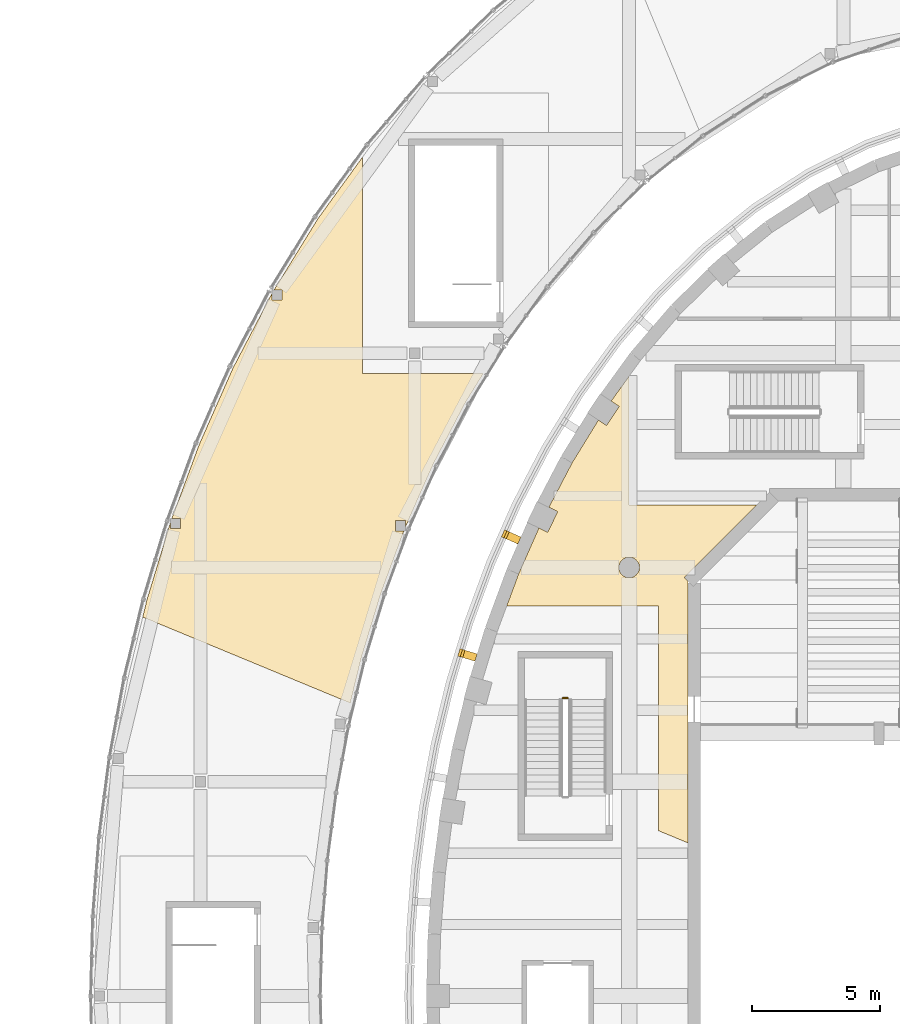
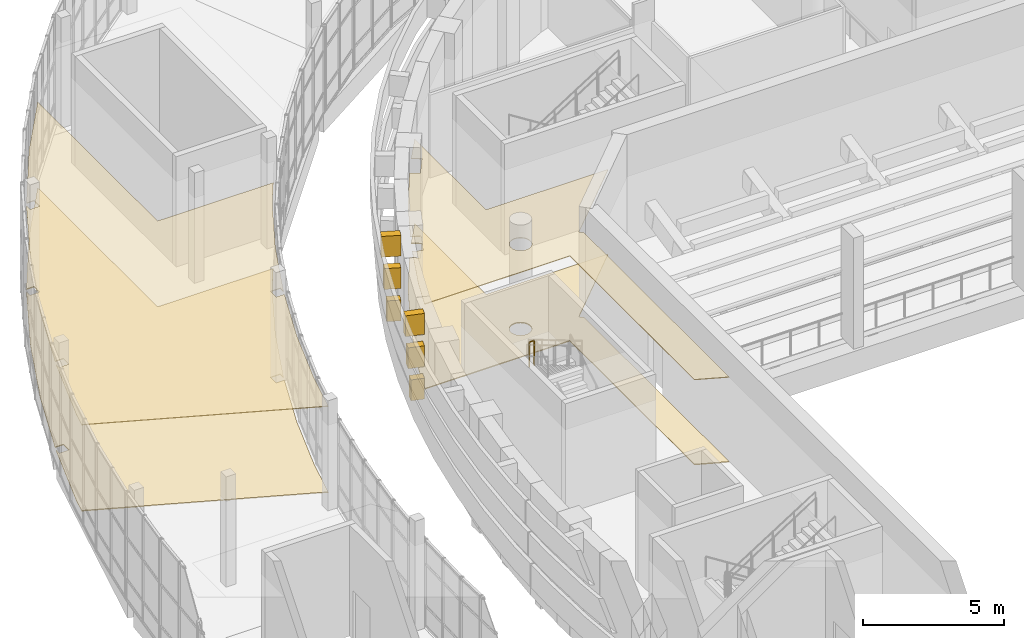
# One storey, part 93 of 103: 10 coverings, 1 railing.
"""IFC4 building model written with IfcOpenShell, lengths in metres."""

from ifc_helpers import new_model, si_unit, direction, frame, origin, origin_2d, place, context, subcontext, project, spatial, polyline, rectangle, circle, outline, extrude, material, layer, layer_set, type_object, element, save


model = new_model("IFC4")

# Units and contexts
model_context = context("Model", 3, precision=1e-05, world=origin(), true_north=direction((0.0, 1.0)))
body_context = subcontext(model_context, "Body", "Model", "MODEL_VIEW")
ifc_project = project(units=[si_unit("LENGTHUNIT", "METRE"), si_unit("AREAUNIT", "SQUARE_METRE"), si_unit("VOLUMEUNIT", "CUBIC_METRE"), si_unit("PLANEANGLEUNIT", "RADIAN"), si_unit("MASSUNIT", "GRAM", prefix="KILO")], contexts=[model_context])

# Site, building, storey
site_placement = place(None, origin())
site = spatial("IfcSite", under=ifc_project, at=site_placement, CompositionType="ELEMENT")
building_placement = place(site_placement, origin())
building = spatial("IfcBuilding", under=site, at=building_placement, Name="Larchfold Concert Hall", CompositionType="ELEMENT")
storey_placement = place(building_placement, frame((0.0, 0.0, 9.60009765625)))
storey = spatial("IfcBuildingStorey", under=building, at=storey_placement, Name="L02", CompositionType="ELEMENT", Elevation=9.60009765625)

# Coverings
ifc_material_1 = material(Name="Plasterboard ceiling lining")
ifc_layer_1 = layer(ifc_material_1, 0.030029296875)
ifc_layer_set_1 = layer_set([ifc_layer_1], Name="Plasterboard ceiling lining")
covering_type_1 = type_object("IfcCoveringType", Name="Ceiling suspended plasterboard 30", PredefinedType="CEILING", material=ifc_layer_set_1)
covering_1_placement = place(storey_placement, frame((0.0, 0.0, 3.669921875)))
element("IfcCovering", 1, at=covering_1_placement, inside=storey, type_object=covering_type_1, Name="Ceiling Hall Foyer North West", PredefinedType="CEILING", context=body_context, shape_type="SweptSolid", body=[
    extrude(outline(polyline([(26.949951171875, 99.900146484375), (26.949951171875, 91.08251953125), (28.10009765625, 90.60595703125), (28.10009765625, 100.878662109375), (27.962646484375, 101.01611328125), (30.79638671875, 103.849853515625), (25.800048828125, 103.849853515625), (25.800048828125, 108.898681640625), (25.09423828125, 107.924560546875), (25.412353515625, 107.712158203125), (24.912841796875, 106.963623046875), (24.59423828125, 107.17626953125), (23.564208984375, 105.502685546875), (22.653564453125, 103.759765625), (23.000244140625, 103.59326171875), (22.6103515625, 102.781982421875), (22.262939453125, 102.948974609375), (21.468017578125, 101.149169921875), (21.00634765625, 99.900146484375), (26.949951171875, 99.900146484375)]), holes=[polyline([(25.60009765625, 101.053466796875), (25.556640625, 101.08251953125), (25.51708984375, 101.116943359375), (25.482666015625, 101.156494140625), (25.45361328125, 101.199951171875), (25.430419921875, 101.246826171875), (25.41357421875, 101.29638671875), (25.403564453125, 101.34765625), (25.400146484375, 101.39990234375), (25.403564453125, 101.4521484375), (25.41357421875, 101.50341796875), (25.430419921875, 101.552978515625), (25.45361328125, 101.599853515625), (25.482666015625, 101.643310546875), (25.51708984375, 101.682861328125), (25.556640625, 101.71728515625), (25.60009765625, 101.746337890625), (25.64697265625, 101.76953125), (25.696533203125, 101.786376953125), (25.747802734375, 101.79638671875), (25.800048828125, 101.7998046875), (25.852294921875, 101.79638671875), (25.903564453125, 101.786376953125), (25.953125, 101.76953125), (26.0, 101.746337890625), (26.04345703125, 101.71728515625), (26.0830078125, 101.682861328125), (26.117431640625, 101.643310546875), (26.146484375, 101.599853515625), (26.169677734375, 101.552978515625), (26.1865234375, 101.50341796875), (26.196533203125, 101.4521484375), (26.199951171875, 101.39990234375), (26.196533203125, 101.34765625), (26.1865234375, 101.29638671875), (26.169677734375, 101.246826171875), (26.146484375, 101.199951171875), (26.117431640625, 101.156494140625), (26.0830078125, 101.116943359375), (26.04345703125, 101.08251953125), (26.0, 101.053466796875), (25.953125, 101.0302734375), (25.903564453125, 101.013427734375), (25.852294921875, 101.00341796875), (25.800048828125, 101.0), (25.747802734375, 101.00341796875), (25.696533203125, 101.013427734375), (25.64697265625, 101.0302734375), (25.60009765625, 101.053466796875)])]), origin(), (0.0, 0.0, 1.0), 0.030029296875),
])
covering_2_placement = place(storey_placement, frame((0.0, 0.0, 3.719970703125)))
element("IfcCovering", 2, at=covering_2_placement, inside=storey, type_object=covering_type_1, Name="Ceiling Winter Garden Foyer North West", PredefinedType="CEILING", context=body_context, shape_type="SweptSolid", body=[
    extrude(outline(polyline([(6.89794921875, 100.12255859375), (6.736083984375, 99.455322265625), (14.870849609375, 96.0859375), (15.294189453125, 97.830322265625), (16.077880859375, 100.411376953125), (16.974853515625, 102.838134765625), (16.635986328125, 102.838134765625), (16.635986328125, 103.238037109375), (17.035888671875, 103.238037109375), (17.035888671875, 102.9951171875), (18.117431640625, 105.444091796875), (19.3876953125, 107.874755859375), (20.08056640625, 109.0), (15.35888671875, 109.0), (15.3505859375, 109.006103515625), (15.349853515625, 117.48486328125), (13.600830078125, 115.070556640625), (11.880859375, 112.27587890625), (12.19287109375, 112.27587890625), (12.19287109375, 111.8759765625), (11.79296875, 111.8759765625), (11.79296875, 112.12548828125), (10.275146484375, 109.220947265625), (8.949951171875, 106.221435546875), (7.87841796875, 103.321044921875), (8.218017578125, 103.321044921875), (8.218017578125, 102.921142578125), (7.818115234375, 102.921142578125), (7.818115234375, 103.152099609375), (6.89794921875, 100.12255859375)])), origin(), (0.0, 0.0, 1.0), 0.030029296875),
])
ifc_material_2 = material(Name="Polished terrazzo")
ifc_layer_2 = layer(ifc_material_2, 0.0400390625)
ifc_layer_set_2 = layer_set([ifc_layer_2], Name="Polished terrazzo")
covering_type_2 = type_object("IfcCoveringType", Name="Floor finish terrazzo 40", PredefinedType="FLOORING", material=ifc_layer_set_2)
covering_3_placement = place(storey_placement, origin())
element("IfcCovering", 3, at=covering_3_placement, inside=storey, type_object=covering_type_2, Name="Floor finish Hall Foyer North West", PredefinedType="FLOORING", context=body_context, shape_type="SweptSolid", body=[
    extrude(outline(polyline([(26.949951171875, 99.900146484375), (26.949951171875, 91.08251953125), (28.10009765625, 90.60595703125), (28.10009765625, 100.878662109375), (27.962646484375, 101.01611328125), (30.79638671875, 103.849853515625), (25.800048828125, 103.849853515625), (25.800048828125, 108.898681640625), (25.09423828125, 107.924560546875), (25.412353515625, 107.712158203125), (24.912841796875, 106.963623046875), (24.59423828125, 107.17626953125), (23.564208984375, 105.502685546875), (22.653564453125, 103.759765625), (23.000244140625, 103.59326171875), (22.6103515625, 102.781982421875), (22.262939453125, 102.948974609375), (21.468017578125, 101.149169921875), (21.00634765625, 99.900146484375), (26.949951171875, 99.900146484375)]), holes=[polyline([(25.60009765625, 101.053466796875), (25.556640625, 101.08251953125), (25.51708984375, 101.116943359375), (25.482666015625, 101.156494140625), (25.45361328125, 101.199951171875), (25.430419921875, 101.246826171875), (25.41357421875, 101.29638671875), (25.403564453125, 101.34765625), (25.400146484375, 101.39990234375), (25.403564453125, 101.4521484375), (25.41357421875, 101.50341796875), (25.430419921875, 101.552978515625), (25.45361328125, 101.599853515625), (25.482666015625, 101.643310546875), (25.51708984375, 101.682861328125), (25.556640625, 101.71728515625), (25.60009765625, 101.746337890625), (25.64697265625, 101.76953125), (25.696533203125, 101.786376953125), (25.747802734375, 101.79638671875), (25.800048828125, 101.7998046875), (25.852294921875, 101.79638671875), (25.903564453125, 101.786376953125), (25.953125, 101.76953125), (26.0, 101.746337890625), (26.04345703125, 101.71728515625), (26.0830078125, 101.682861328125), (26.117431640625, 101.643310546875), (26.146484375, 101.599853515625), (26.169677734375, 101.552978515625), (26.1865234375, 101.50341796875), (26.196533203125, 101.4521484375), (26.199951171875, 101.39990234375), (26.196533203125, 101.34765625), (26.1865234375, 101.29638671875), (26.169677734375, 101.246826171875), (26.146484375, 101.199951171875), (26.117431640625, 101.156494140625), (26.0830078125, 101.116943359375), (26.04345703125, 101.08251953125), (26.0, 101.053466796875), (25.953125, 101.0302734375), (25.903564453125, 101.013427734375), (25.852294921875, 101.00341796875), (25.800048828125, 101.0), (25.747802734375, 101.00341796875), (25.696533203125, 101.013427734375), (25.64697265625, 101.0302734375), (25.60009765625, 101.053466796875)])]), origin(), (0.0, 0.0, 1.0), 0.0400390625),
])
covering_4_placement = place(storey_placement, origin())
element("IfcCovering", 4, at=covering_4_placement, inside=storey, type_object=covering_type_2, Name="Floor finish Winter Garden Foyer North West", PredefinedType="FLOORING", context=body_context, shape_type="SweptSolid", body=[
    extrude(outline(polyline([(6.89794921875, 100.12255859375), (6.736083984375, 99.455322265625), (14.870849609375, 96.0859375), (15.294189453125, 97.830322265625), (16.077880859375, 100.411376953125), (16.974853515625, 102.838134765625), (16.635986328125, 102.838134765625), (16.635986328125, 103.238037109375), (17.035888671875, 103.238037109375), (17.035888671875, 102.9951171875), (18.117431640625, 105.444091796875), (19.3876953125, 107.874755859375), (20.08056640625, 109.0), (15.35888671875, 109.0), (15.3505859375, 109.006103515625), (15.349853515625, 117.48486328125), (13.600830078125, 115.070556640625), (11.880859375, 112.27587890625), (12.19287109375, 112.27587890625), (12.19287109375, 111.8759765625), (11.79296875, 111.8759765625), (11.79296875, 112.12548828125), (10.275146484375, 109.220947265625), (8.949951171875, 106.221435546875), (7.87841796875, 103.321044921875), (8.218017578125, 103.321044921875), (8.218017578125, 102.921142578125), (7.818115234375, 102.921142578125), (7.818115234375, 103.152099609375), (6.89794921875, 100.12255859375)])), origin(), (0.0, 0.0, 1.0), 0.0400390625),
])
ifc_material_3 = material(Name="Galvanised steel bracket", Category="steel")
ifc_layer_3 = layer(ifc_material_3, 0.300048828125)
ifc_layer_set_3 = layer_set([ifc_layer_3], Name="Galvanised steel bracket")
covering_type_3 = type_object("IfcCoveringType", Name="Ring support bracket", PredefinedType="CLADDING", material=ifc_layer_set_3)
for number, where, z_axis, x_axis, name in (
    (5, (21.2705078125, 102.55859375, 1.349853515625), (0.0, 0.0, 1.0), (-0.91470116954, 0.404130882813, 0.0), "Ring bracket BR-R03-16"),
    (6, (19.560546875, 97.94140625, 1.349853515625), (0.0, 0.0, 1.0), (-0.956854836506, 0.29056638115, 0.0), "Ring bracket BR-R03-17"),
):
    element("IfcCovering", number, at=place(storey_placement, frame(where, z_axis=z_axis, x_axis=x_axis)), inside=storey, type_object=covering_type_3, Name=name, PredefinedType="CLADDING", context=body_context, shape_type="SweptSolid", body=[
        extrude(rectangle(XDim=0.5, YDim=0.300048828125, at=origin_2d()), origin(), (0.0, 0.0, 1.0), 0.89990234375),
    ])
for number, where, z_axis, x_axis, name in (
    (7, (21.224853515625, 102.578857421875, 2.75), (0.0, 0.0, 1.0), (-0.91470116954, 0.404130882813, 0.0), "Ring bracket BR-R04-16"),
    (8, (19.5126953125, 97.955810546875, 2.75), (0.0, 0.0, 1.0), (-0.956854836506, 0.29056638115, 0.0), "Ring bracket BR-R04-17"),
):
    element("IfcCovering", number, at=place(storey_placement, frame(where, z_axis=z_axis, x_axis=x_axis)), inside=storey, type_object=covering_type_3, Name=name, PredefinedType="CLADDING", context=body_context, shape_type="SweptSolid", body=[
        extrude(rectangle(XDim=0.60009765625, YDim=0.300048828125, at=origin_2d()), origin(), (0.0, 0.0, 1.0), 0.89990234375),
    ])
for number, where, z_axis, x_axis, name in (
    (9, (21.178955078125, 102.598876953125, 4.14990234375), (0.0, 0.0, 1.0), (-0.91470116954, 0.404130882813, 0.0), "Ring bracket BR-R05-16"),
    (10, (19.46484375, 97.970458984375, 4.14990234375), (0.0, 0.0, 1.0), (-0.956854836506, 0.29056638115, 0.0), "Ring bracket BR-R05-17"),
):
    element("IfcCovering", number, at=place(storey_placement, frame(where, z_axis=z_axis, x_axis=x_axis)), inside=storey, type_object=covering_type_3, Name=name, PredefinedType="CLADDING", context=body_context, shape_type="SweptSolid", body=[
        extrude(rectangle(XDim=0.699951171875, YDim=0.300048828125, at=origin_2d()), origin(), (0.0, 0.0, 1.0), 0.89990234375),
    ])

# Railing
ifc_material_4 = material(Name="Stainless steel balustrade", Category="steel")
railing_type = type_object("IfcRailingType", Name="Stair guard 1100", PredefinedType="GUARDRAIL", material=ifc_material_4)
railing_placement = place(storey_placement, frame((23.39990234375, 96.280029296875, 2.39990234375)))
element("IfcRailing", 11, at=railing_placement, inside=storey, type_object=railing_type, Name="Guard GR0017", PredefinedType="GUARDRAIL", context=body_context, shape_type="SweptSolid", body=[
    extrude(circle(Radius=0.02392578125, at=origin_2d()), frame((0.0, 0.0, 1.076171875), z_axis=(-1.0, 0.0, 0.0), x_axis=(0.0, -1.0, 0.0)), (0.0, 0.0, 1.0), 0.199951171875),
    extrude(circle(Radius=0.02099609375, at=origin_2d()), origin(), (0.0, 0.0, 1.0), 1.052001953125),
    extrude(circle(Radius=0.02099609375, at=origin_2d()), frame((-0.199951171875, 0.0, 0.0)), (0.0, 0.0, 1.0), 1.052001953125),
])

save(model, "model.ifc")
